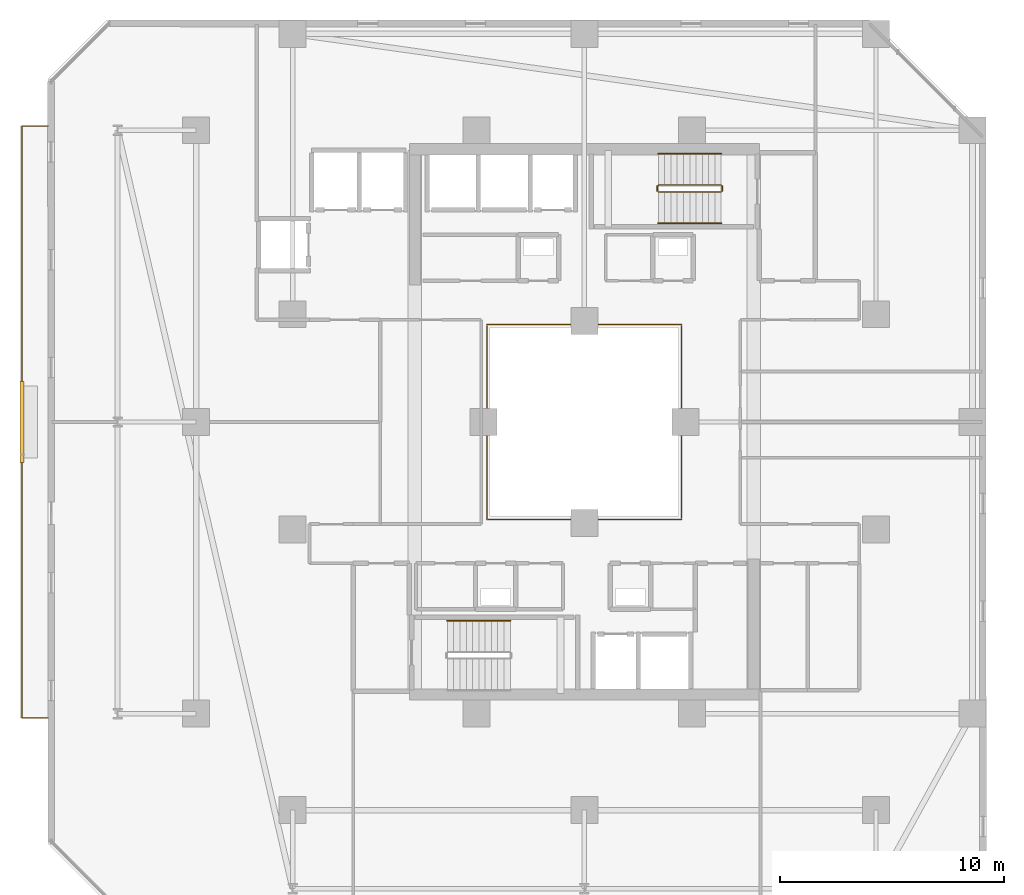
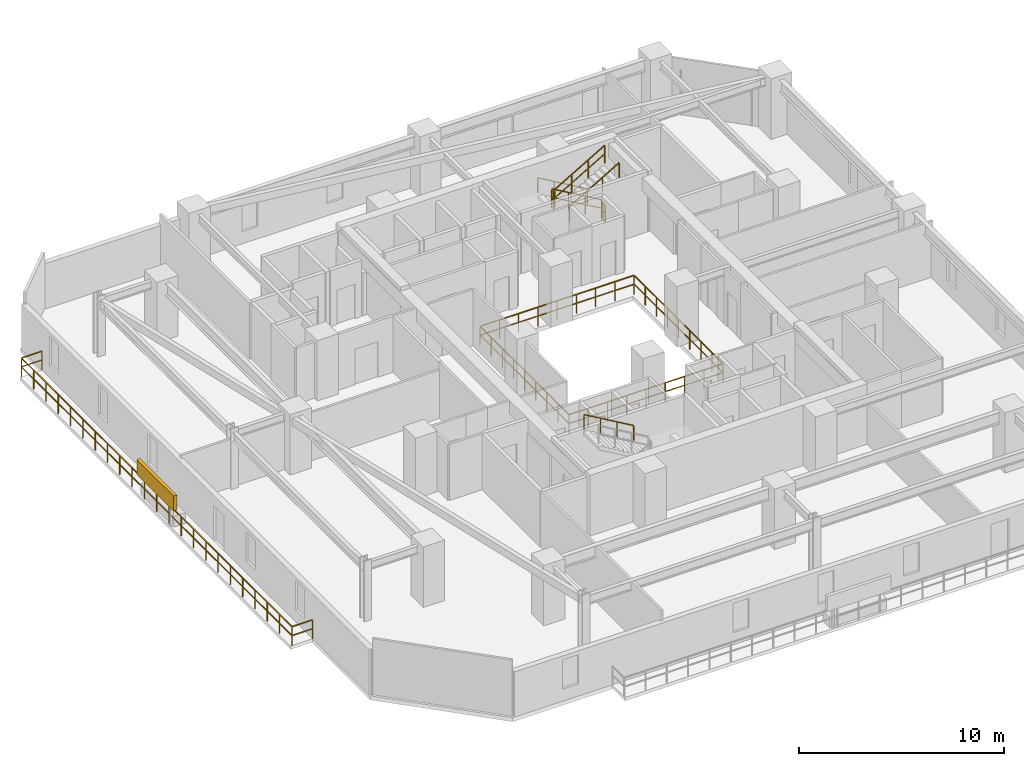
# One storey, part 30 of 33: 9 railings, 1 shading device.
"""IFC4 building model written with IfcOpenShell, lengths in metres."""

from ifc_helpers import new_model, si_unit, direction, frame, origin, origin_2d, place, context, subcontext, project, spatial, rectangle, extrude, material, type_object, element, save


model = new_model("IFC4")

# Units and contexts
model_context = context("Model", 3, precision=1e-05, world=origin(), true_north=direction((0.0, 1.0)))
body_context = subcontext(model_context, "Body", "Model", "MODEL_VIEW")
ifc_project = project(units=[si_unit("LENGTHUNIT", "METRE"), si_unit("AREAUNIT", "SQUARE_METRE"), si_unit("VOLUMEUNIT", "CUBIC_METRE"), si_unit("PLANEANGLEUNIT", "RADIAN"), si_unit("MASSUNIT", "GRAM", prefix="KILO")], contexts=[model_context])

# Site, building, storey
site_placement = place(None, origin())
site = spatial("IfcSite", under=ifc_project, at=site_placement, CompositionType="ELEMENT")
building_placement = place(site_placement, origin())
building = spatial("IfcBuilding", under=site, at=building_placement, Name="Thornwick Lancets Civic Towers", CompositionType="ELEMENT")
storey_placement = place(building_placement, frame((0.0, 0.0, 134.10009765625)))
storey = spatial("IfcBuildingStorey", under=building, at=storey_placement, Name="L35", CompositionType="ELEMENT", Elevation=134.10009765625)

# Railings
ifc_material_1 = material(Name="Laminated glass and bronze steel S355", Category="steel")
railing_type_1 = type_object("IfcRailingType", Name="RAIL_ATRIUM_GUARD", PredefinedType="BALUSTRADE", material=ifc_material_1)
railing_1_placement = place(storey_placement, frame((21.159912109375, 22.659912109375, 0.0)))
element("IfcRailing", 1, at=railing_1_placement, inside=storey, type_object=railing_type_1, Name="L35 Tower A Central Atrium Guard Balustrade", PredefinedType="BALUSTRADE", context=body_context, shape_type="SweptSolid", body=[
    extrude(rectangle(XDim=0.048095703125, YDim=0.048095703125, at=origin_2d()), frame((0.0, 0.0, 1.1259765625), z_axis=(1.0, 0.0, 0.0), x_axis=(0.0, 1.0, 0.0)), (0.0, 0.0, 1.0), 8.64892578125),
    extrude(rectangle(XDim=0.0419921875, YDim=0.0419921875, at=origin_2d()), frame((0.03759765625, 0.0, 0.597900390625), z_axis=(1.0, 0.0, 0.0), x_axis=(0.0, 1.0, 0.0)), (0.0, 0.0, 1.0), 1.010009765625),
    extrude(rectangle(XDim=0.0419921875, YDim=0.0419921875, at=origin_2d()), frame((1.12255859375, 0.0, 0.597900390625), z_axis=(1.0, 0.0, 0.0), x_axis=(0.0, 1.0, 0.0)), (0.0, 0.0, 1.0), 1.010009765625),
    extrude(rectangle(XDim=0.0419921875, YDim=0.0419921875, at=origin_2d()), frame((2.20751953125, 0.0, 0.597900390625), z_axis=(1.0, 0.0, 0.0), x_axis=(0.0, 1.0, 0.0)), (0.0, 0.0, 1.0), 1.010009765625),
    extrude(rectangle(XDim=0.0419921875, YDim=0.0419921875, at=origin_2d()), frame((3.29248046875, 0.0, 0.597900390625), z_axis=(1.0, 0.0, 0.0), x_axis=(0.0, 1.0, 0.0)), (0.0, 0.0, 1.0), 1.010009765625),
    extrude(rectangle(XDim=0.0419921875, YDim=0.0419921875, at=origin_2d()), frame((4.377685546875, 0.0, 0.597900390625), z_axis=(1.0, 0.0, 0.0), x_axis=(0.0, 1.0, 0.0)), (0.0, 0.0, 1.0), 1.010009765625),
    extrude(rectangle(XDim=0.0419921875, YDim=0.0419921875, at=origin_2d()), frame((5.462646484375, 0.0, 0.597900390625), z_axis=(1.0, 0.0, 0.0), x_axis=(0.0, 1.0, 0.0)), (0.0, 0.0, 1.0), 1.010009765625),
    extrude(rectangle(XDim=0.0419921875, YDim=0.0419921875, at=origin_2d()), frame((6.547607421875, 0.0, 0.597900390625), z_axis=(1.0, 0.0, 0.0), x_axis=(0.0, 1.0, 0.0)), (0.0, 0.0, 1.0), 1.010009765625),
    extrude(rectangle(XDim=0.0419921875, YDim=0.0419921875, at=origin_2d()), frame((7.632568359375, 0.0, 0.597900390625), z_axis=(1.0, 0.0, 0.0), x_axis=(0.0, 1.0, 0.0)), (0.0, 0.0, 1.0), 1.010009765625),
    extrude(rectangle(XDim=0.048095703125, YDim=0.048095703125, at=origin_2d()), frame((8.68017578125, 0.03125, 1.1259765625), z_axis=(0.0, 1.0, 0.0), x_axis=(-1.0, 0.0, 0.0)), (0.0, 0.0, 1.0), 8.61767578125),
    extrude(rectangle(XDim=0.0419921875, YDim=0.0419921875, at=origin_2d()), frame((8.68017578125, 0.03759765625, 0.597900390625), z_axis=(0.0, 1.0, 0.0), x_axis=(-1.0, 0.0, 0.0)), (0.0, 0.0, 1.0), 1.010009765625),
    extrude(rectangle(XDim=0.0419921875, YDim=0.0419921875, at=origin_2d()), frame((8.68017578125, 1.12255859375, 0.597900390625), z_axis=(0.0, 1.0, 0.0), x_axis=(-1.0, 0.0, 0.0)), (0.0, 0.0, 1.0), 1.010009765625),
    extrude(rectangle(XDim=0.0419921875, YDim=0.0419921875, at=origin_2d()), frame((8.68017578125, 2.20751953125, 0.597900390625), z_axis=(0.0, 1.0, 0.0), x_axis=(-1.0, 0.0, 0.0)), (0.0, 0.0, 1.0), 1.010009765625),
    extrude(rectangle(XDim=0.0419921875, YDim=0.0419921875, at=origin_2d()), frame((8.68017578125, 3.29248046875, 0.597900390625), z_axis=(0.0, 1.0, 0.0), x_axis=(-1.0, 0.0, 0.0)), (0.0, 0.0, 1.0), 1.010009765625),
    extrude(rectangle(XDim=0.0419921875, YDim=0.0419921875, at=origin_2d()), frame((8.68017578125, 4.377685546875, 0.597900390625), z_axis=(0.0, 1.0, 0.0), x_axis=(-1.0, 0.0, 0.0)), (0.0, 0.0, 1.0), 1.010009765625),
    extrude(rectangle(XDim=0.0419921875, YDim=0.0419921875, at=origin_2d()), frame((8.68017578125, 5.462646484375, 0.597900390625), z_axis=(0.0, 1.0, 0.0), x_axis=(-1.0, 0.0, 0.0)), (0.0, 0.0, 1.0), 1.010009765625),
    extrude(rectangle(XDim=0.0419921875, YDim=0.0419921875, at=origin_2d()), frame((8.68017578125, 6.547607421875, 0.597900390625), z_axis=(0.0, 1.0, 0.0), x_axis=(-1.0, 0.0, 0.0)), (0.0, 0.0, 1.0), 1.010009765625),
    extrude(rectangle(XDim=0.0419921875, YDim=0.0419921875, at=origin_2d()), frame((8.68017578125, 7.632568359375, 0.597900390625), z_axis=(0.0, 1.0, 0.0), x_axis=(-1.0, 0.0, 0.0)), (0.0, 0.0, 1.0), 1.010009765625),
    extrude(rectangle(XDim=0.048095703125, YDim=0.048095703125, at=origin_2d()), frame((8.64892578125, 8.68017578125, 1.1259765625), z_axis=(-1.0, 0.0, 0.0), x_axis=(0.0, -1.0, 0.0)), (0.0, 0.0, 1.0), 8.61767578125),
    extrude(rectangle(XDim=0.0419921875, YDim=0.0419921875, at=origin_2d()), frame((8.642578125, 8.68017578125, 0.597900390625), z_axis=(-1.0, 0.0, 0.0), x_axis=(0.0, -1.0, 0.0)), (0.0, 0.0, 1.0), 1.010009765625),
    extrude(rectangle(XDim=0.0419921875, YDim=0.0419921875, at=origin_2d()), frame((7.5576171875, 8.68017578125, 0.597900390625), z_axis=(-1.0, 0.0, 0.0), x_axis=(0.0, -1.0, 0.0)), (0.0, 0.0, 1.0), 1.010009765625),
    extrude(rectangle(XDim=0.0419921875, YDim=0.0419921875, at=origin_2d()), frame((6.47265625, 8.68017578125, 0.597900390625), z_axis=(-1.0, 0.0, 0.0), x_axis=(0.0, -1.0, 0.0)), (0.0, 0.0, 1.0), 1.010009765625),
    extrude(rectangle(XDim=0.0419921875, YDim=0.0419921875, at=origin_2d()), frame((5.3876953125, 8.68017578125, 0.597900390625), z_axis=(-1.0, 0.0, 0.0), x_axis=(0.0, -1.0, 0.0)), (0.0, 0.0, 1.0), 1.010009765625),
    extrude(rectangle(XDim=0.0419921875, YDim=0.0419921875, at=origin_2d()), frame((4.302490234375, 8.68017578125, 0.597900390625), z_axis=(-1.0, 0.0, 0.0), x_axis=(0.0, -1.0, 0.0)), (0.0, 0.0, 1.0), 1.010009765625),
    extrude(rectangle(XDim=0.0419921875, YDim=0.0419921875, at=origin_2d()), frame((3.217529296875, 8.68017578125, 0.597900390625), z_axis=(-1.0, 0.0, 0.0), x_axis=(0.0, -1.0, 0.0)), (0.0, 0.0, 1.0), 1.010009765625),
    extrude(rectangle(XDim=0.0419921875, YDim=0.0419921875, at=origin_2d()), frame((2.132568359375, 8.68017578125, 0.597900390625), z_axis=(-1.0, 0.0, 0.0), x_axis=(0.0, -1.0, 0.0)), (0.0, 0.0, 1.0), 1.010009765625),
    extrude(rectangle(XDim=0.0419921875, YDim=0.0419921875, at=origin_2d()), frame((1.047607421875, 8.68017578125, 0.597900390625), z_axis=(-1.0, 0.0, 0.0), x_axis=(0.0, -1.0, 0.0)), (0.0, 0.0, 1.0), 1.010009765625),
    extrude(rectangle(XDim=0.048095703125, YDim=0.048095703125, at=origin_2d()), frame((0.0, 8.64892578125, 1.1259765625), z_axis=(0.0, -1.0, 0.0), x_axis=(1.0, 0.0, 0.0)), (0.0, 0.0, 1.0), 8.64892578125),
    extrude(rectangle(XDim=0.0419921875, YDim=0.0419921875, at=origin_2d()), frame((0.0, 8.642578125, 0.597900390625), z_axis=(0.0, -1.0, 0.0), x_axis=(1.0, 0.0, 0.0)), (0.0, 0.0, 1.0), 1.010009765625),
    extrude(rectangle(XDim=0.0419921875, YDim=0.0419921875, at=origin_2d()), frame((0.0, 7.5576171875, 0.597900390625), z_axis=(0.0, -1.0, 0.0), x_axis=(1.0, 0.0, 0.0)), (0.0, 0.0, 1.0), 1.010009765625),
    extrude(rectangle(XDim=0.0419921875, YDim=0.0419921875, at=origin_2d()), frame((0.0, 6.47265625, 0.597900390625), z_axis=(0.0, -1.0, 0.0), x_axis=(1.0, 0.0, 0.0)), (0.0, 0.0, 1.0), 1.010009765625),
    extrude(rectangle(XDim=0.0419921875, YDim=0.0419921875, at=origin_2d()), frame((0.0, 5.3876953125, 0.597900390625), z_axis=(0.0, -1.0, 0.0), x_axis=(1.0, 0.0, 0.0)), (0.0, 0.0, 1.0), 1.010009765625),
    extrude(rectangle(XDim=0.0419921875, YDim=0.0419921875, at=origin_2d()), frame((0.0, 4.302490234375, 0.597900390625), z_axis=(0.0, -1.0, 0.0), x_axis=(1.0, 0.0, 0.0)), (0.0, 0.0, 1.0), 1.010009765625),
    extrude(rectangle(XDim=0.0419921875, YDim=0.0419921875, at=origin_2d()), frame((0.0, 3.217529296875, 0.597900390625), z_axis=(0.0, -1.0, 0.0), x_axis=(1.0, 0.0, 0.0)), (0.0, 0.0, 1.0), 1.010009765625),
    extrude(rectangle(XDim=0.0419921875, YDim=0.0419921875, at=origin_2d()), frame((0.0, 2.132568359375, 0.597900390625), z_axis=(0.0, -1.0, 0.0), x_axis=(1.0, 0.0, 0.0)), (0.0, 0.0, 1.0), 1.010009765625),
    extrude(rectangle(XDim=0.0419921875, YDim=0.0419921875, at=origin_2d()), frame((0.0, 1.047607421875, 0.597900390625), z_axis=(0.0, -1.0, 0.0), x_axis=(1.0, 0.0, 0.0)), (0.0, 0.0, 1.0), 1.010009765625),
    extrude(rectangle(XDim=0.0419921875, YDim=0.0419921875, at=origin_2d()), origin(), (0.0, 0.0, 1.0), 1.095703125),
    extrude(rectangle(XDim=0.0419921875, YDim=0.0419921875, at=origin_2d()), frame((1.0849609375, 0.0, 0.0)), (0.0, 0.0, 1.0), 1.095703125),
    extrude(rectangle(XDim=0.0419921875, YDim=0.0419921875, at=origin_2d()), frame((2.169921875, 0.0, 0.0)), (0.0, 0.0, 1.0), 1.095703125),
    extrude(rectangle(XDim=0.0419921875, YDim=0.0419921875, at=origin_2d()), frame((3.255126953125, 0.0, 0.0)), (0.0, 0.0, 1.0), 1.095703125),
    extrude(rectangle(XDim=0.0419921875, YDim=0.0419921875, at=origin_2d()), frame((4.340087890625, 0.0, 0.0)), (0.0, 0.0, 1.0), 1.095703125),
    extrude(rectangle(XDim=0.0419921875, YDim=0.0419921875, at=origin_2d()), frame((5.425048828125, 0.0, 0.0)), (0.0, 0.0, 1.0), 1.095703125),
    extrude(rectangle(XDim=0.0419921875, YDim=0.0419921875, at=origin_2d()), frame((6.51025390625, 0.0, 0.0)), (0.0, 0.0, 1.0), 1.095703125),
    extrude(rectangle(XDim=0.0419921875, YDim=0.0419921875, at=origin_2d()), frame((7.59521484375, 0.0, 0.0)), (0.0, 0.0, 1.0), 1.095703125),
    extrude(rectangle(XDim=0.0419921875, YDim=0.0419921875, at=origin_2d()), frame((8.68017578125, 0.0, 0.0)), (0.0, 0.0, 1.0), 1.095703125),
    extrude(rectangle(XDim=0.0419921875, YDim=0.0419921875, at=origin_2d()), frame((8.68017578125, 1.0849609375, 0.0)), (0.0, 0.0, 1.0), 1.095703125),
    extrude(rectangle(XDim=0.0419921875, YDim=0.0419921875, at=origin_2d()), frame((8.68017578125, 2.169921875, 0.0)), (0.0, 0.0, 1.0), 1.095703125),
    extrude(rectangle(XDim=0.0419921875, YDim=0.0419921875, at=origin_2d()), frame((8.68017578125, 3.255126953125, 0.0)), (0.0, 0.0, 1.0), 1.095703125),
    extrude(rectangle(XDim=0.0419921875, YDim=0.0419921875, at=origin_2d()), frame((8.68017578125, 4.340087890625, 0.0)), (0.0, 0.0, 1.0), 1.095703125),
    extrude(rectangle(XDim=0.0419921875, YDim=0.0419921875, at=origin_2d()), frame((8.68017578125, 5.425048828125, 0.0)), (0.0, 0.0, 1.0), 1.095703125),
    extrude(rectangle(XDim=0.0419921875, YDim=0.0419921875, at=origin_2d()), frame((8.68017578125, 6.51025390625, 0.0)), (0.0, 0.0, 1.0), 1.095703125),
    extrude(rectangle(XDim=0.0419921875, YDim=0.0419921875, at=origin_2d()), frame((8.68017578125, 7.59521484375, 0.0)), (0.0, 0.0, 1.0), 1.095703125),
    extrude(rectangle(XDim=0.0419921875, YDim=0.0419921875, at=origin_2d()), frame((8.68017578125, 8.68017578125, 0.0)), (0.0, 0.0, 1.0), 1.095703125),
    extrude(rectangle(XDim=0.0419921875, YDim=0.0419921875, at=origin_2d()), frame((7.59521484375, 8.68017578125, 0.0)), (0.0, 0.0, 1.0), 1.095703125),
    extrude(rectangle(XDim=0.0419921875, YDim=0.0419921875, at=origin_2d()), frame((6.51025390625, 8.68017578125, 0.0)), (0.0, 0.0, 1.0), 1.095703125),
    extrude(rectangle(XDim=0.0419921875, YDim=0.0419921875, at=origin_2d()), frame((5.425048828125, 8.68017578125, 0.0)), (0.0, 0.0, 1.0), 1.095703125),
    extrude(rectangle(XDim=0.0419921875, YDim=0.0419921875, at=origin_2d()), frame((4.340087890625, 8.68017578125, 0.0)), (0.0, 0.0, 1.0), 1.095703125),
    extrude(rectangle(XDim=0.0419921875, YDim=0.0419921875, at=origin_2d()), frame((3.255126953125, 8.68017578125, 0.0)), (0.0, 0.0, 1.0), 1.095703125),
    extrude(rectangle(XDim=0.0419921875, YDim=0.0419921875, at=origin_2d()), frame((2.169921875, 8.68017578125, 0.0)), (0.0, 0.0, 1.0), 1.095703125),
    extrude(rectangle(XDim=0.0419921875, YDim=0.0419921875, at=origin_2d()), frame((1.0849609375, 8.68017578125, 0.0)), (0.0, 0.0, 1.0), 1.095703125),
    extrude(rectangle(XDim=0.0419921875, YDim=0.0419921875, at=origin_2d()), frame((0.0, 8.68017578125, 0.0)), (0.0, 0.0, 1.0), 1.095703125),
    extrude(rectangle(XDim=0.0419921875, YDim=0.0419921875, at=origin_2d()), frame((0.0, 7.59521484375, 0.0)), (0.0, 0.0, 1.0), 1.095703125),
    extrude(rectangle(XDim=0.0419921875, YDim=0.0419921875, at=origin_2d()), frame((0.0, 6.51025390625, 0.0)), (0.0, 0.0, 1.0), 1.095703125),
    extrude(rectangle(XDim=0.0419921875, YDim=0.0419921875, at=origin_2d()), frame((0.0, 5.425048828125, 0.0)), (0.0, 0.0, 1.0), 1.095703125),
    extrude(rectangle(XDim=0.0419921875, YDim=0.0419921875, at=origin_2d()), frame((0.0, 4.340087890625, 0.0)), (0.0, 0.0, 1.0), 1.095703125),
    extrude(rectangle(XDim=0.0419921875, YDim=0.0419921875, at=origin_2d()), frame((0.0, 3.255126953125, 0.0)), (0.0, 0.0, 1.0), 1.095703125),
    extrude(rectangle(XDim=0.0419921875, YDim=0.0419921875, at=origin_2d()), frame((0.0, 2.169921875, 0.0)), (0.0, 0.0, 1.0), 1.095703125),
    extrude(rectangle(XDim=0.0419921875, YDim=0.0419921875, at=origin_2d()), frame((0.0, 1.0849609375, 0.0)), (0.0, 0.0, 1.0), 1.095703125),
])
ifc_material_2 = material(Name="Brushed stainless steel S355", Category="steel")
railing_type_2 = type_object("IfcRailingType", Name="RAIL_HANDRAIL", PredefinedType="HANDRAIL", material=ifc_material_2)
for number, where, name in (
    (2, (22.199951171875, 18.14990234375, 1.963623046875), "L35 ST-A1 stair handrail 2"),
    (3, (31.60009765625, 38.949951171875, 0.16357421875), "L35 ST-A2 stair handrail 1"),
):
    element("IfcRailing", number, at=place(storey_placement, frame(where)), inside=storey, type_object=railing_type_2, Name=name, PredefinedType="HANDRAIL", context=body_context, shape_type="SweptSolid", body=[
        extrude(rectangle(XDim=0.048095703125, YDim=0.048095703125, at=origin_2d()), frame((0.0, 0.0, 0.8857421875), z_axis=(-0.863393664356, 0.0, 0.504530851732), x_axis=(0.0, -1.0, 0.0)), (0.0, 0.0, 1.0), 3.2431640625),
        extrude(rectangle(XDim=0.0419921875, YDim=0.0419921875, at=origin_2d()), origin(), (0.0, 0.0, 1.0), 0.855712890625),
        extrude(rectangle(XDim=0.0419921875, YDim=0.0419921875, at=origin_2d()), frame((-0.933349609375, 0.0, 0.54541015625)), (0.0, 0.0, 1.0), 0.855712890625),
        extrude(rectangle(XDim=0.0419921875, YDim=0.0419921875, at=origin_2d()), frame((-1.86669921875, 0.0, 1.0908203125)), (0.0, 0.0, 1.0), 0.855712890625),
        extrude(rectangle(XDim=0.0419921875, YDim=0.0419921875, at=origin_2d()), frame((-2.800048828125, 0.0, 1.63623046875)), (0.0, 0.0, 1.0), 0.855712890625),
    ])
railing_2_placement = place(storey_placement, frame((28.800048828125, 35.85009765625, 1.963623046875)))
element("IfcRailing", 4, at=railing_2_placement, inside=storey, type_object=railing_type_2, Name="L35 ST-A2 stair handrail 2", PredefinedType="HANDRAIL", context=body_context, shape_type="SweptSolid", body=[
    extrude(rectangle(XDim=0.048095703125, YDim=0.048095703125, at=origin_2d()), frame((0.0, 0.0, 0.8857421875), z_axis=(0.863393664356, 0.0, 0.504530851732), x_axis=(0.0, 1.0, 0.0)), (0.0, 0.0, 1.0), 3.2431640625),
    extrude(rectangle(XDim=0.0419921875, YDim=0.0419921875, at=origin_2d()), origin(), (0.0, 0.0, 1.0), 0.855712890625),
    extrude(rectangle(XDim=0.0419921875, YDim=0.0419921875, at=origin_2d()), frame((0.933349609375, 0.0, 0.54541015625)), (0.0, 0.0, 1.0), 0.855712890625),
    extrude(rectangle(XDim=0.0419921875, YDim=0.0419921875, at=origin_2d()), frame((1.86669921875, 0.0, 1.0908203125)), (0.0, 0.0, 1.0), 0.855712890625),
    extrude(rectangle(XDim=0.0419921875, YDim=0.0419921875, at=origin_2d()), frame((2.800048828125, 0.0, 1.63623046875)), (0.0, 0.0, 1.0), 0.855712890625),
])
ifc_material_3 = material(Name="Steel S355JR", Category="steel")
railing_type_3 = type_object("IfcRailingType", Name="RAIL_STAIR_GUARD", PredefinedType="GUARDRAIL", material=ifc_material_3)
railing_3_placement = place(storey_placement, frame((31.60009765625, 37.550048828125, 0.16357421875)))
element("IfcRailing", 5, at=railing_3_placement, inside=storey, type_object=railing_type_3, Name="L35 ST-A2 stair guard 1", PredefinedType="GUARDRAIL", context=body_context, shape_type="SweptSolid", body=[
    extrude(rectangle(XDim=0.048095703125, YDim=0.048095703125, at=origin_2d()), frame((0.0, 0.0, 1.076171875), z_axis=(-0.863393664356, 0.0, 0.504530851732), x_axis=(0.0, -1.0, 0.0)), (0.0, 0.0, 1.0), 3.2431640625),
    extrude(rectangle(XDim=0.0419921875, YDim=0.0419921875, at=origin_2d()), frame((-0.032470703125, 0.0, 0.591064453125), z_axis=(-0.863393664356, 0.0, 0.504530851732), x_axis=(0.0, -1.0, 0.0)), (0.0, 0.0, 1.0), 1.006103515625),
    extrude(rectangle(XDim=0.0419921875, YDim=0.0419921875, at=origin_2d()), frame((-0.9658203125, 0.0, 1.136474609375), z_axis=(-0.863393664356, 0.0, 0.504530851732), x_axis=(0.0, -1.0, 0.0)), (0.0, 0.0, 1.0), 1.006103515625),
    extrude(rectangle(XDim=0.0419921875, YDim=0.0419921875, at=origin_2d()), frame((-1.899169921875, 0.0, 1.681884765625), z_axis=(-0.863393664356, 0.0, 0.504530851732), x_axis=(0.0, -1.0, 0.0)), (0.0, 0.0, 1.0), 1.006103515625),
    extrude(rectangle(XDim=0.0419921875, YDim=0.0419921875, at=origin_2d()), origin(), (0.0, 0.0, 1.0), 1.0458984375),
    extrude(rectangle(XDim=0.0419921875, YDim=0.0419921875, at=origin_2d()), frame((-0.933349609375, 0.0, 0.54541015625)), (0.0, 0.0, 1.0), 1.0458984375),
    extrude(rectangle(XDim=0.0419921875, YDim=0.0419921875, at=origin_2d()), frame((-1.86669921875, 0.0, 1.0908203125)), (0.0, 0.0, 1.0), 1.0458984375),
    extrude(rectangle(XDim=0.0419921875, YDim=0.0419921875, at=origin_2d()), frame((-2.800048828125, 0.0, 1.63623046875)), (0.0, 0.0, 1.0), 1.0458984375),
])
railing_4_placement = place(storey_placement, frame((28.75, 37.5, 1.7998046875)))
element("IfcRailing", 6, at=railing_4_placement, inside=storey, type_object=railing_type_3, Name="L35 ST-A2 stair guard 2", PredefinedType="GUARDRAIL", context=body_context, shape_type="SweptSolid", body=[
    extrude(rectangle(XDim=0.048095703125, YDim=0.048095703125, at=origin_2d()), frame((0.0, 0.0, 1.076171875), z_axis=(0.0, -1.0, 0.0), x_axis=(1.0, 0.0, 0.0)), (0.0, 0.0, 1.0), 0.199951171875),
    extrude(rectangle(XDim=0.0419921875, YDim=0.0419921875, at=origin_2d()), frame((0.0, -0.03759765625, 0.572021484375), z_axis=(0.0, -1.0, 0.0), x_axis=(1.0, 0.0, 0.0)), (0.0, 0.0, 1.0), 0.125),
    extrude(rectangle(XDim=0.0419921875, YDim=0.0419921875, at=origin_2d()), origin(), (0.0, 0.0, 1.0), 1.0458984375),
    extrude(rectangle(XDim=0.0419921875, YDim=0.0419921875, at=origin_2d()), frame((0.0, -0.199951171875, 0.0)), (0.0, 0.0, 1.0), 1.0458984375),
])
railing_5_placement = place(storey_placement, frame((28.800048828125, 37.25, 1.963623046875)))
element("IfcRailing", 7, at=railing_5_placement, inside=storey, type_object=railing_type_3, Name="L35 ST-A2 stair guard 3", PredefinedType="GUARDRAIL", context=body_context, shape_type="SweptSolid", body=[
    extrude(rectangle(XDim=0.048095703125, YDim=0.048095703125, at=origin_2d()), frame((0.0, 0.0, 1.076171875), z_axis=(0.863393664356, 0.0, 0.504530851732), x_axis=(0.0, 1.0, 0.0)), (0.0, 0.0, 1.0), 3.2431640625),
    extrude(rectangle(XDim=0.0419921875, YDim=0.0419921875, at=origin_2d()), frame((0.032470703125, 0.0, 0.591064453125), z_axis=(0.863393664356, 0.0, 0.504530851732), x_axis=(0.0, 1.0, 0.0)), (0.0, 0.0, 1.0), 1.006103515625),
    extrude(rectangle(XDim=0.0419921875, YDim=0.0419921875, at=origin_2d()), frame((0.9658203125, 0.0, 1.136474609375), z_axis=(0.863393664356, 0.0, 0.504530851732), x_axis=(0.0, 1.0, 0.0)), (0.0, 0.0, 1.0), 1.006103515625),
    extrude(rectangle(XDim=0.0419921875, YDim=0.0419921875, at=origin_2d()), frame((1.899169921875, 0.0, 1.681884765625), z_axis=(0.863393664356, 0.0, 0.504530851732), x_axis=(0.0, 1.0, 0.0)), (0.0, 0.0, 1.0), 1.006103515625),
    extrude(rectangle(XDim=0.0419921875, YDim=0.0419921875, at=origin_2d()), origin(), (0.0, 0.0, 1.0), 1.0458984375),
    extrude(rectangle(XDim=0.0419921875, YDim=0.0419921875, at=origin_2d()), frame((0.933349609375, 0.0, 0.54541015625)), (0.0, 0.0, 1.0), 1.0458984375),
    extrude(rectangle(XDim=0.0419921875, YDim=0.0419921875, at=origin_2d()), frame((1.86669921875, 0.0, 1.0908203125)), (0.0, 0.0, 1.0), 1.0458984375),
    extrude(rectangle(XDim=0.0419921875, YDim=0.0419921875, at=origin_2d()), frame((2.800048828125, 0.0, 1.63623046875)), (0.0, 0.0, 1.0), 1.0458984375),
])
railing_6_placement = place(storey_placement, frame((31.64990234375, 37.5, 0.0)))
element("IfcRailing", 8, at=railing_6_placement, inside=storey, type_object=railing_type_3, Name="L35 ST-A2 stair guard 4", PredefinedType="GUARDRAIL", context=body_context, shape_type="SweptSolid", body=[
    extrude(rectangle(XDim=0.048095703125, YDim=0.048095703125, at=origin_2d()), frame((0.0, 0.0, 1.076171875), z_axis=(0.0, -1.0, 0.0), x_axis=(1.0, 0.0, 0.0)), (0.0, 0.0, 1.0), 0.199951171875),
    extrude(rectangle(XDim=0.0419921875, YDim=0.0419921875, at=origin_2d()), frame((0.0, -0.03759765625, 0.572021484375), z_axis=(0.0, -1.0, 0.0), x_axis=(1.0, 0.0, 0.0)), (0.0, 0.0, 1.0), 0.125),
    extrude(rectangle(XDim=0.0419921875, YDim=0.0419921875, at=origin_2d()), origin(), (0.0, 0.0, 1.0), 1.0458984375),
    extrude(rectangle(XDim=0.0419921875, YDim=0.0419921875, at=origin_2d()), frame((0.0, -0.199951171875, 0.0)), (0.0, 0.0, 1.0), 1.0458984375),
])
ifc_material_4 = material(Name="Terracotta-capped laminated glass balustrade S355", Category="masonry")
railing_type_4 = type_object("IfcRailingType", Name="RAIL_TERR_GUARD", PredefinedType="GUARDRAIL", material=ifc_material_4)
railing_7_placement = place(storey_placement, frame((1.60009765625, 13.800048828125, 0.0)))
element("IfcRailing", 9, at=railing_7_placement, inside=storey, type_object=railing_type_4, Name="L35 Tower A Balcony Guard W", PredefinedType="GUARDRAIL", context=body_context, shape_type="SweptSolid", body=[
    extrude(rectangle(XDim=0.048095703125, YDim=0.048095703125, at=origin_2d()), frame((0.0, 0.0, 1.1259765625), z_axis=(-1.0, 0.0, 0.0), x_axis=(0.0, -1.0, 0.0)), (0.0, 0.0, 1.0), 1.138916015625),
    extrude(rectangle(XDim=0.0419921875, YDim=0.0419921875, at=origin_2d()), frame((-0.03759765625, 0.0, 0.597900390625), z_axis=(-1.0, 0.0, 0.0), x_axis=(0.0, -1.0, 0.0)), (0.0, 0.0, 1.0), 1.09521484375),
    extrude(rectangle(XDim=0.048095703125, YDim=0.048095703125, at=origin_2d()), frame((-1.170166015625, 0.03125, 1.1259765625), z_axis=(0.0, 1.0, 0.0), x_axis=(-1.0, 0.0, 0.0)), (0.0, 0.0, 1.0), 26.33740234375),
    extrude(rectangle(XDim=0.0419921875, YDim=0.0419921875, at=origin_2d()), frame((-1.170166015625, 0.03759765625, 0.597900390625), z_axis=(0.0, 1.0, 0.0), x_axis=(-1.0, 0.0, 0.0)), (0.0, 0.0, 1.0), 1.125),
    extrude(rectangle(XDim=0.0419921875, YDim=0.0419921875, at=origin_2d()), frame((-1.170166015625, 1.237548828125, 0.597900390625), z_axis=(0.0, 1.0, 0.0), x_axis=(-1.0, 0.0, 0.0)), (0.0, 0.0, 1.0), 1.125),
    extrude(rectangle(XDim=0.0419921875, YDim=0.0419921875, at=origin_2d()), frame((-1.170166015625, 2.4375, 0.597900390625), z_axis=(0.0, 1.0, 0.0), x_axis=(-1.0, 0.0, 0.0)), (0.0, 0.0, 1.0), 1.125),
    extrude(rectangle(XDim=0.0419921875, YDim=0.0419921875, at=origin_2d()), frame((-1.170166015625, 3.637451171875, 0.597900390625), z_axis=(0.0, 1.0, 0.0), x_axis=(-1.0, 0.0, 0.0)), (0.0, 0.0, 1.0), 1.125),
    extrude(rectangle(XDim=0.0419921875, YDim=0.0419921875, at=origin_2d()), frame((-1.170166015625, 4.83740234375, 0.597900390625), z_axis=(0.0, 1.0, 0.0), x_axis=(-1.0, 0.0, 0.0)), (0.0, 0.0, 1.0), 1.125),
    extrude(rectangle(XDim=0.0419921875, YDim=0.0419921875, at=origin_2d()), frame((-1.170166015625, 6.037353515625, 0.597900390625), z_axis=(0.0, 1.0, 0.0), x_axis=(-1.0, 0.0, 0.0)), (0.0, 0.0, 1.0), 1.125),
    extrude(rectangle(XDim=0.0419921875, YDim=0.0419921875, at=origin_2d()), frame((-1.170166015625, 7.237548828125, 0.597900390625), z_axis=(0.0, 1.0, 0.0), x_axis=(-1.0, 0.0, 0.0)), (0.0, 0.0, 1.0), 1.125),
    extrude(rectangle(XDim=0.0419921875, YDim=0.0419921875, at=origin_2d()), frame((-1.170166015625, 8.4375, 0.597900390625), z_axis=(0.0, 1.0, 0.0), x_axis=(-1.0, 0.0, 0.0)), (0.0, 0.0, 1.0), 1.125),
    extrude(rectangle(XDim=0.0419921875, YDim=0.0419921875, at=origin_2d()), frame((-1.170166015625, 9.637451171875, 0.597900390625), z_axis=(0.0, 1.0, 0.0), x_axis=(-1.0, 0.0, 0.0)), (0.0, 0.0, 1.0), 1.125),
    extrude(rectangle(XDim=0.0419921875, YDim=0.0419921875, at=origin_2d()), frame((-1.170166015625, 10.83740234375, 0.597900390625), z_axis=(0.0, 1.0, 0.0), x_axis=(-1.0, 0.0, 0.0)), (0.0, 0.0, 1.0), 1.125),
    extrude(rectangle(XDim=0.0419921875, YDim=0.0419921875, at=origin_2d()), frame((-1.170166015625, 12.037353515625, 0.597900390625), z_axis=(0.0, 1.0, 0.0), x_axis=(-1.0, 0.0, 0.0)), (0.0, 0.0, 1.0), 1.125),
    extrude(rectangle(XDim=0.0419921875, YDim=0.0419921875, at=origin_2d()), frame((-1.170166015625, 13.237548828125, 0.597900390625), z_axis=(0.0, 1.0, 0.0), x_axis=(-1.0, 0.0, 0.0)), (0.0, 0.0, 1.0), 1.125),
    extrude(rectangle(XDim=0.0419921875, YDim=0.0419921875, at=origin_2d()), frame((-1.170166015625, 14.4375, 0.597900390625), z_axis=(0.0, 1.0, 0.0), x_axis=(-1.0, 0.0, 0.0)), (0.0, 0.0, 1.0), 1.125),
    extrude(rectangle(XDim=0.0419921875, YDim=0.0419921875, at=origin_2d()), frame((-1.170166015625, 15.637451171875, 0.597900390625), z_axis=(0.0, 1.0, 0.0), x_axis=(-1.0, 0.0, 0.0)), (0.0, 0.0, 1.0), 1.125),
    extrude(rectangle(XDim=0.0419921875, YDim=0.0419921875, at=origin_2d()), frame((-1.170166015625, 16.83740234375, 0.597900390625), z_axis=(0.0, 1.0, 0.0), x_axis=(-1.0, 0.0, 0.0)), (0.0, 0.0, 1.0), 1.125),
    extrude(rectangle(XDim=0.0419921875, YDim=0.0419921875, at=origin_2d()), frame((-1.170166015625, 18.037353515625, 0.597900390625), z_axis=(0.0, 1.0, 0.0), x_axis=(-1.0, 0.0, 0.0)), (0.0, 0.0, 1.0), 1.125),
    extrude(rectangle(XDim=0.0419921875, YDim=0.0419921875, at=origin_2d()), frame((-1.170166015625, 19.2373046875, 0.597900390625), z_axis=(0.0, 1.0, 0.0), x_axis=(-1.0, 0.0, 0.0)), (0.0, 0.0, 1.0), 1.125),
    extrude(rectangle(XDim=0.0419921875, YDim=0.0419921875, at=origin_2d()), frame((-1.170166015625, 20.4375, 0.597900390625), z_axis=(0.0, 1.0, 0.0), x_axis=(-1.0, 0.0, 0.0)), (0.0, 0.0, 1.0), 1.125),
    extrude(rectangle(XDim=0.0419921875, YDim=0.0419921875, at=origin_2d()), frame((-1.170166015625, 21.637451171875, 0.597900390625), z_axis=(0.0, 1.0, 0.0), x_axis=(-1.0, 0.0, 0.0)), (0.0, 0.0, 1.0), 1.125),
    extrude(rectangle(XDim=0.0419921875, YDim=0.0419921875, at=origin_2d()), frame((-1.170166015625, 22.83740234375, 0.597900390625), z_axis=(0.0, 1.0, 0.0), x_axis=(-1.0, 0.0, 0.0)), (0.0, 0.0, 1.0), 1.125),
    extrude(rectangle(XDim=0.0419921875, YDim=0.0419921875, at=origin_2d()), frame((-1.170166015625, 24.037353515625, 0.597900390625), z_axis=(0.0, 1.0, 0.0), x_axis=(-1.0, 0.0, 0.0)), (0.0, 0.0, 1.0), 1.125),
    extrude(rectangle(XDim=0.0419921875, YDim=0.0419921875, at=origin_2d()), frame((-1.170166015625, 25.2373046875, 0.597900390625), z_axis=(0.0, 1.0, 0.0), x_axis=(-1.0, 0.0, 0.0)), (0.0, 0.0, 1.0), 1.125),
    extrude(rectangle(XDim=0.048095703125, YDim=0.048095703125, at=origin_2d()), frame((-1.138916015625, 26.39990234375, 1.1259765625), z_axis=(1.0, 0.0, 0.0), x_axis=(0.0, 1.0, 0.0)), (0.0, 0.0, 1.0), 1.138916015625),
    extrude(rectangle(XDim=0.0419921875, YDim=0.0419921875, at=origin_2d()), frame((-1.132568359375, 26.39990234375, 0.597900390625), z_axis=(1.0, 0.0, 0.0), x_axis=(0.0, 1.0, 0.0)), (0.0, 0.0, 1.0), 1.09521484375),
    extrude(rectangle(XDim=0.0419921875, YDim=0.0419921875, at=origin_2d()), origin(), (0.0, 0.0, 1.0), 1.095703125),
    extrude(rectangle(XDim=0.0419921875, YDim=0.0419921875, at=origin_2d()), frame((-1.170166015625, 0.0, 0.0)), (0.0, 0.0, 1.0), 1.095703125),
    extrude(rectangle(XDim=0.0419921875, YDim=0.0419921875, at=origin_2d()), frame((-1.170166015625, 1.199951171875, 0.0)), (0.0, 0.0, 1.0), 1.095703125),
    extrude(rectangle(XDim=0.0419921875, YDim=0.0419921875, at=origin_2d()), frame((-1.170166015625, 2.39990234375, 0.0)), (0.0, 0.0, 1.0), 1.095703125),
    extrude(rectangle(XDim=0.0419921875, YDim=0.0419921875, at=origin_2d()), frame((-1.170166015625, 3.60009765625, 0.0)), (0.0, 0.0, 1.0), 1.095703125),
    extrude(rectangle(XDim=0.0419921875, YDim=0.0419921875, at=origin_2d()), frame((-1.170166015625, 4.800048828125, 0.0)), (0.0, 0.0, 1.0), 1.095703125),
    extrude(rectangle(XDim=0.0419921875, YDim=0.0419921875, at=origin_2d()), frame((-1.170166015625, 6.0, 0.0)), (0.0, 0.0, 1.0), 1.095703125),
    extrude(rectangle(XDim=0.0419921875, YDim=0.0419921875, at=origin_2d()), frame((-1.170166015625, 7.199951171875, 0.0)), (0.0, 0.0, 1.0), 1.095703125),
    extrude(rectangle(XDim=0.0419921875, YDim=0.0419921875, at=origin_2d()), frame((-1.170166015625, 8.39990234375, 0.0)), (0.0, 0.0, 1.0), 1.095703125),
    extrude(rectangle(XDim=0.0419921875, YDim=0.0419921875, at=origin_2d()), frame((-1.170166015625, 9.599853515625, 0.0)), (0.0, 0.0, 1.0), 1.095703125),
    extrude(rectangle(XDim=0.0419921875, YDim=0.0419921875, at=origin_2d()), frame((-1.170166015625, 10.800048828125, 0.0)), (0.0, 0.0, 1.0), 1.095703125),
    extrude(rectangle(XDim=0.0419921875, YDim=0.0419921875, at=origin_2d()), frame((-1.170166015625, 12.0, 0.0)), (0.0, 0.0, 1.0), 1.095703125),
    extrude(rectangle(XDim=0.0419921875, YDim=0.0419921875, at=origin_2d()), frame((-1.170166015625, 13.199951171875, 0.0)), (0.0, 0.0, 1.0), 1.095703125),
    extrude(rectangle(XDim=0.0419921875, YDim=0.0419921875, at=origin_2d()), frame((-1.170166015625, 14.39990234375, 0.0)), (0.0, 0.0, 1.0), 1.095703125),
    extrude(rectangle(XDim=0.0419921875, YDim=0.0419921875, at=origin_2d()), frame((-1.170166015625, 15.599853515625, 0.0)), (0.0, 0.0, 1.0), 1.095703125),
    extrude(rectangle(XDim=0.0419921875, YDim=0.0419921875, at=origin_2d()), frame((-1.170166015625, 16.800048828125, 0.0)), (0.0, 0.0, 1.0), 1.095703125),
    extrude(rectangle(XDim=0.0419921875, YDim=0.0419921875, at=origin_2d()), frame((-1.170166015625, 18.0, 0.0)), (0.0, 0.0, 1.0), 1.095703125),
    extrude(rectangle(XDim=0.0419921875, YDim=0.0419921875, at=origin_2d()), frame((-1.170166015625, 19.199951171875, 0.0)), (0.0, 0.0, 1.0), 1.095703125),
    extrude(rectangle(XDim=0.0419921875, YDim=0.0419921875, at=origin_2d()), frame((-1.170166015625, 20.39990234375, 0.0)), (0.0, 0.0, 1.0), 1.095703125),
    extrude(rectangle(XDim=0.0419921875, YDim=0.0419921875, at=origin_2d()), frame((-1.170166015625, 21.599853515625, 0.0)), (0.0, 0.0, 1.0), 1.095703125),
    extrude(rectangle(XDim=0.0419921875, YDim=0.0419921875, at=origin_2d()), frame((-1.170166015625, 22.7998046875, 0.0)), (0.0, 0.0, 1.0), 1.095703125),
    extrude(rectangle(XDim=0.0419921875, YDim=0.0419921875, at=origin_2d()), frame((-1.170166015625, 24.0, 0.0)), (0.0, 0.0, 1.0), 1.095703125),
    extrude(rectangle(XDim=0.0419921875, YDim=0.0419921875, at=origin_2d()), frame((-1.170166015625, 25.199951171875, 0.0)), (0.0, 0.0, 1.0), 1.095703125),
    extrude(rectangle(XDim=0.0419921875, YDim=0.0419921875, at=origin_2d()), frame((-1.170166015625, 26.39990234375, 0.0)), (0.0, 0.0, 1.0), 1.095703125),
    extrude(rectangle(XDim=0.0419921875, YDim=0.0419921875, at=origin_2d()), frame((0.0, 26.39990234375, 0.0)), (0.0, 0.0, 1.0), 1.095703125),
])

# Shading device
ifc_material_5 = material(Name="Extruded terracotta baguette solar screen", Category="masonry")
shading_device_type = type_object("IfcShadingDeviceType", Name="SHADE_BAGUETTE", PredefinedType="JALOUSIE", material=ifc_material_5)
shading_device_placement = place(storey_placement, frame((0.43994140625, 27.0, 1.119873046875), z_axis=(0.0, 0.0, 1.0), x_axis=(0.0, 1.0, 0.0)))
element("IfcShadingDevice", 10, at=shading_device_placement, inside=storey, type_object=shading_device_type, Name="L35 Tower A Terracotta Baguette Screen W", PredefinedType="JALOUSIE", context=body_context, shape_type="SweptSolid", body=[
    extrude(rectangle(XDim=3.60009765625, YDim=0.179931640625, at=origin_2d()), origin(), (0.0, 0.0, 1.0), 0.89990234375),
])

save(model, "model.ifc")
